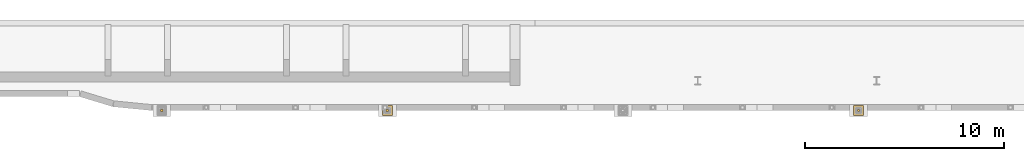
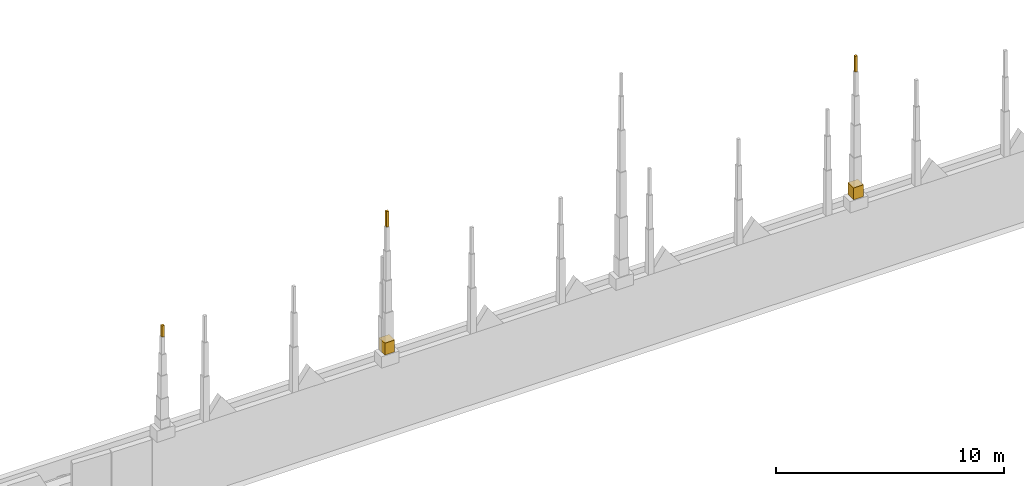
# One storey, part 5 of 6: 5 coverings.
"""IFC4 building model written with IfcOpenShell, lengths in metres."""

import ifcopenshell
import ifcopenshell.guid

model = None  # the IFC model being written
_history = None  # IfcOwnerHistory: only IFC2X3 demands one
_inside = {}  # id of a spatial element -> (the spatial element, [elements in it])
_under = {}  # id of a project, library or spatial element -> (it, [spatial elements below it])
_declared = {}  # id of a project -> (the project, [libraries it declares])
_typed = {}  # id of a type object -> (the type object, [elements of that type])
_made_of = {}  # id of a material, layer set ... -> (it, [elements and type objects made of it])


def new_model(schema):
    """Start an empty IFC model of exactly this schema.

    Asked for "IFC4X3", IfcOpenShell would pick the latest addendum, in which some entities
    have other attributes; the version numbers below select the first issue.
    IFC2X3 requires an IfcOwnerHistory on every rooted entity: one is made here for all.
    """
    global model, _history
    if schema == "IFC4X3":
        model = ifcopenshell.file(schema_version=(4, 3, 0, 0))
    else:
        model = ifcopenshell.file(schema=schema)
    _inside.clear()
    _under.clear()
    _declared.clear()
    _typed.clear()
    _made_of.clear()
    _history = None
    if model.schema == "IFC2X3":
        org = make("IfcOrganization", Name="unknown")
        user = make(
            "IfcPersonAndOrganization",
            ThePerson=make("IfcPerson", FamilyName="unknown"),
            TheOrganization=org,
        )
        app = make(
            "IfcApplication",
            ApplicationDeveloper=org,
            Version="unknown",
            ApplicationFullName="unknown",
            ApplicationIdentifier="unknown",
        )
        _history = make(
            "IfcOwnerHistory",
            OwningUser=user,
            OwningApplication=app,
            ChangeAction="ADDED",
            CreationDate=0,
        )
    return model


def make(cls, **values):
    """One entity of the class cls with the attributes given. An attribute that is None is left unset."""
    return model.create_entity(
        cls, **{name: value for name, value in values.items() if value is not None}
    )


def rooted(cls, **values):
    """An entity with a GlobalId (a new one), such as an element, a storey or a relation."""
    return make(cls, GlobalId=ifcopenshell.guid.new(), OwnerHistory=_history, **values)


def si_unit(unit_type, name, prefix=None):
    """IfcSIUnit, for example si_unit("LENGTHUNIT", "METRE", prefix="MILLI")."""
    return make("IfcSIUnit", UnitType=unit_type, Prefix=prefix, Name=name)


def assignment(units):
    """IfcUnitAssignment: the units of a project."""
    return None if units is None else make("IfcUnitAssignment", Units=units)


def point(xyz):
    """IfcCartesianPoint."""
    return None if xyz is None else make("IfcCartesianPoint", Coordinates=xyz)


def direction(xyz):
    """IfcDirection."""
    return None if xyz is None else make("IfcDirection", DirectionRatios=xyz)


def frame(location, z_axis=None, x_axis=None):
    """IfcAxis2Placement3D, a coordinate frame: its origin and axes. An axis left out is left unset."""
    return make(
        "IfcAxis2Placement3D",
        Location=point(location),
        Axis=direction(z_axis),
        RefDirection=direction(x_axis),
    )


def frame_2d(location, x_axis=None):
    """IfcAxis2Placement2D, a coordinate frame in the plane: its origin and x axis."""
    return make(
        "IfcAxis2Placement2D", Location=point(location), RefDirection=direction(x_axis)
    )


def origin():
    """The frame at (0, 0, 0) with its axes left unset."""
    return frame((0.0, 0.0, 0.0))


def origin_2d():
    """The frame at (0, 0) in the plane with its x axis left unset."""
    return frame_2d((0.0, 0.0))


def place(relative_to, where):
    """IfcLocalPlacement: puts the frame where relative to a parent placement (None: the world)."""
    return make(
        "IfcLocalPlacement", PlacementRelTo=relative_to, RelativePlacement=where
    )


def context(
    kind, dimensions, precision=None, world=None, true_north=None, identifier=None
):
    """IfcGeometricRepresentationContext, for example the 3D "Model" context."""
    return make(
        "IfcGeometricRepresentationContext",
        ContextIdentifier=identifier,
        ContextType=kind,
        CoordinateSpaceDimension=dimensions,
        Precision=precision,
        WorldCoordinateSystem=world,
        TrueNorth=true_north,
    )


def subcontext(parent, identifier, kind, view, scale=None):
    """IfcGeometricRepresentationSubContext, for example "Body" below "Model"."""
    return make(
        "IfcGeometricRepresentationSubContext",
        ContextIdentifier=identifier,
        ContextType=kind,
        ParentContext=parent,
        TargetScale=scale,
        TargetView=view,
    )


def project(units=None, contexts=None):
    """IfcProject with its units and contexts."""
    return rooted(
        "IfcProject",
        Name="project",
        RepresentationContexts=contexts,
        UnitsInContext=assignment(units),
    )


def spatial(cls, under=None, at=None, **own):
    """A site, building, storey or space (cls), placed at a placement, below another one or the project."""
    s = rooted(cls, ObjectPlacement=at, **own)
    if under is not None:
        _under.setdefault(under.id(), (under, []))[1].append(s)
    return s


def profile(cls, at=None, kind="AREA", **sizes):
    """A parametric profile (cls). Its sizes go by their IFC names, for example OverallWidth=200.0."""
    return make(cls, ProfileType=kind, Position=at, **sizes)


def rectangle(**sizes):
    """IfcRectangleProfileDef."""
    return profile("IfcRectangleProfileDef", **sizes)


def extrude(swept, where, along, depth):
    """IfcExtrudedAreaSolid: the profile swept, set in the frame where, extruded along a direction by depth."""
    return make(
        "IfcExtrudedAreaSolid",
        SweptArea=swept,
        Position=where,
        ExtrudedDirection=direction(along),
        Depth=depth,
    )


def shape(context_of_items, identifier, shape_type, items):
    """IfcShapeRepresentation: the items that make up one representation, for example the "Body"."""
    return make(
        "IfcShapeRepresentation",
        ContextOfItems=context_of_items,
        RepresentationIdentifier=identifier,
        RepresentationType=shape_type,
        Items=items,
    )


def material(Name=None, Category=None):
    """IfcMaterial."""
    return make("IfcMaterial", Name=Name, Category=Category)


def layer(
    of_material, thickness, ventilated=None, Name=None, Category=None, Priority=None
):
    """IfcMaterialLayer: one layer of a wall or slab, of a material (None: an air gap)."""
    return make(
        "IfcMaterialLayer",
        Material=of_material,
        LayerThickness=thickness,
        IsVentilated=ventilated,
        Name=Name,
        Category=Category,
        Priority=Priority,
    )


def layer_set(layers, Name=None):
    """IfcMaterialLayerSet."""
    return make("IfcMaterialLayerSet", MaterialLayers=layers, LayerSetName=Name)


def made_of(thing, what):
    """Note that an element or type object is made of a material, layer set ...; save() writes the relation."""
    if what is not None:
        _made_of.setdefault(what.id(), (what, []))[1].append(thing)
    return thing


def type_object(cls, material=None, **own):
    """A type object (cls), such as IfcWallType, which elements share."""
    return made_of(rooted(cls, **own), material)


def element(
    cls,
    number,
    at=None,
    inside=None,
    cuts=None,
    type_object=None,
    material=None,
    context=None,
    identifier="Body",
    shape_type=None,
    held_by="IfcProductDefinitionShape",
    body=None,
    shapes=None,
    **own,
):
    """One element of the class cls, such as IfcWall. Its Tag is "e" and its number.

    at: its placement. inside: the storey or other place that contains it. cuts: it is an
    opening in that element (IfcRelVoidsElement). A single representation is given by context,
    identifier, shape_type and body (its items); several are given by shapes. held_by: the class
    of the entity that holds the representations. save() writes the other relations.
    """
    e = rooted(cls, Tag="e%d" % number, ObjectPlacement=at, **own)
    if body is not None:
        shapes = [shape(context, identifier, shape_type, body)]
    if shapes is not None:
        e.Representation = make(held_by, Representations=shapes)
    if inside is not None:
        _inside.setdefault(inside.id(), (inside, []))[1].append(e)
    if cuts is not None:
        rooted(
            "IfcRelVoidsElement", RelatingBuildingElement=cuts, RelatedOpeningElement=e
        )
    if type_object is not None:
        _typed.setdefault(type_object.id(), (type_object, []))[1].append(e)
    return made_of(e, material)


def aggregate(whole, parts):
    """IfcRelAggregates: a whole, such as a stair, and the parts it consists of."""
    return rooted("IfcRelAggregates", RelatingObject=whole, RelatedObjects=parts)


def save(model, path):
    """Write the relations noted so far, then the file.

    IfcRelAggregates (storeys below a building ...), IfcRelContainedInSpatialStructure (elements
    in a storey), IfcRelDefinesByType, IfcRelAssociatesMaterial and IfcRelDeclares: one each for
    every whole, place, type object, material and project.
    """
    for whole, parts in _under.values():
        aggregate(whole, parts)
    for where, things in _inside.values():
        rooted(
            "IfcRelContainedInSpatialStructure",
            RelatedElements=things,
            RelatingStructure=where,
        )
    for kind, things in _typed.values():
        rooted("IfcRelDefinesByType", RelatedObjects=things, RelatingType=kind)
    for what, things in _made_of.values():
        rooted("IfcRelAssociatesMaterial", RelatedObjects=things, RelatingMaterial=what)
    for by, libraries in _declared.values():
        rooted("IfcRelDeclares", RelatingContext=by, RelatedDefinitions=libraries)
    model.write(path)


model = new_model("IFC4")

# Units and contexts
model_context = context("Model", 3, precision=1e-05, world=origin(), true_north=direction((0.0, 1.0)))
body_context = subcontext(model_context, "Body", "Model", "MODEL_VIEW")
ifc_project = project(units=[si_unit("LENGTHUNIT", "METRE"), si_unit("AREAUNIT", "SQUARE_METRE"), si_unit("VOLUMEUNIT", "CUBIC_METRE"), si_unit("PLANEANGLEUNIT", "RADIAN"), si_unit("MASSUNIT", "GRAM", prefix="KILO")], contexts=[model_context])

# Site, building, storey
site_placement = place(None, origin())
site = spatial("IfcSite", under=ifc_project, at=site_placement, CompositionType="ELEMENT")
building_placement = place(site_placement, origin())
building = spatial("IfcBuilding", under=site, at=building_placement, Name="Ogive Portal Towers", CompositionType="ELEMENT")
storey_placement = place(building_placement, frame((0.0, 0.0, 293.89990234375)))
storey = spatial("IfcBuildingStorey", under=building, at=storey_placement, Name="L71", CompositionType="ELEMENT", Elevation=293.89990234375)

# Coverings
ifc_material = material(Name="Limestone cladding on lightweight block wall", Category="masonry")
ifc_layer = layer(ifc_material, 0.300048828125)
ifc_layer_set = layer_set([ifc_layer], Name="CROWN PINNACLE SHAFT STONE")
covering_type = type_object("IfcCoveringType", Name="CROWN PINNACLE SHAFT STONE", PredefinedType="CLADDING", material=ifc_layer_set)
covering_1_placement = place(storey_placement, frame((51.873291015625, 20.0, 4.398193359375), z_axis=(0.0, 0.0, 1.0), x_axis=(1.0, 0.0, 0.0)))
element("IfcCovering", 1, at=covering_1_placement, inside=storey, type_object=covering_type, Name="CROWN SPIRE", PredefinedType="CLADDING", context=body_context, shape_type="SweptSolid", body=[
    extrude(rectangle(XDim=0.5, YDim=0.5, at=origin_2d()), origin(), (0.0, 0.0, 1.0), 0.6298828125),
])
covering_2_placement = place(storey_placement, frame((51.873291015625, 20.0, 11.0478515625), z_axis=(0.0, 0.0, 1.0), x_axis=(1.0, 0.0, 0.0)))
element("IfcCovering", 2, at=covering_2_placement, inside=storey, type_object=covering_type, Name="CROWN SPIRE", PredefinedType="CLADDING", context=body_context, shape_type="SweptSolid", body=[
    extrude(rectangle(XDim=0.1201171875, YDim=0.1201171875, at=origin_2d()), origin(), (0.0, 0.0, 1.0), 0.840087890625),
])
covering_3_placement = place(storey_placement, frame((75.590576171875, 20.0, 4.398193359375), z_axis=(0.0, 0.0, 1.0), x_axis=(1.0, 0.0, 0.0)))
element("IfcCovering", 3, at=covering_3_placement, inside=storey, type_object=covering_type, Name="CROWN SPIRE", PredefinedType="CLADDING", context=body_context, shape_type="SweptSolid", body=[
    extrude(rectangle(XDim=0.5, YDim=0.5, at=origin_2d()), origin(), (0.0, 0.0, 1.0), 0.6298828125),
])
covering_4_placement = place(storey_placement, frame((75.590576171875, 20.0, 11.0478515625), z_axis=(0.0, 0.0, 1.0), x_axis=(1.0, 0.0, 0.0)))
element("IfcCovering", 4, at=covering_4_placement, inside=storey, type_object=covering_type, Name="CROWN SPIRE", PredefinedType="CLADDING", context=body_context, shape_type="SweptSolid", body=[
    extrude(rectangle(XDim=0.1201171875, YDim=0.1201171875, at=origin_2d()), origin(), (0.0, 0.0, 1.0), 0.840087890625),
])
covering_5_placement = place(storey_placement, frame((40.5146484375, 20.0, 9.14794921875), z_axis=(0.0, 0.0, 1.0), x_axis=(1.0, 0.0, 0.0)))
element("IfcCovering", 5, at=covering_5_placement, inside=storey, type_object=covering_type, Name="CROWN SPIRE", PredefinedType="CLADDING", context=body_context, shape_type="SweptSolid", body=[
    extrude(rectangle(XDim=0.1201171875, YDim=0.1201171875, at=origin_2d()), origin(), (0.0, 0.0, 1.0), 0.60009765625),
])

save(model, "model.ifc")
